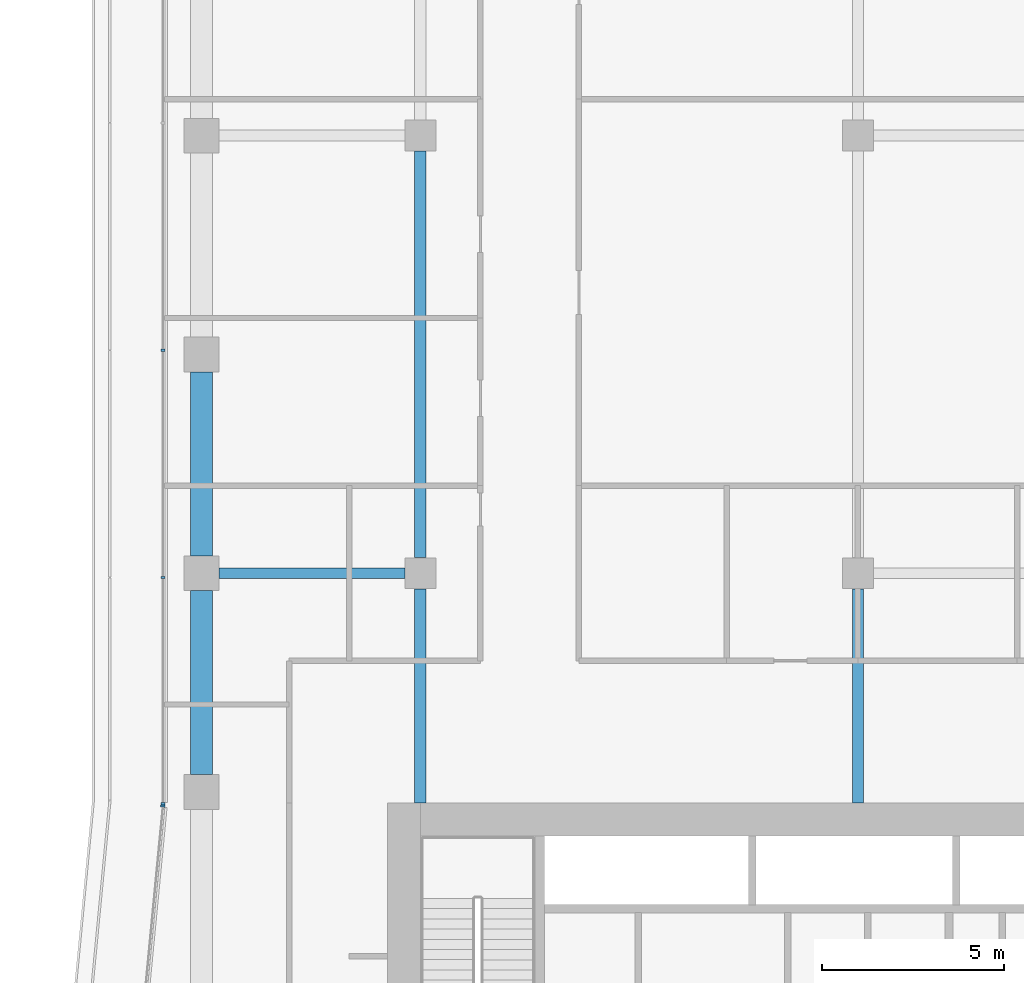
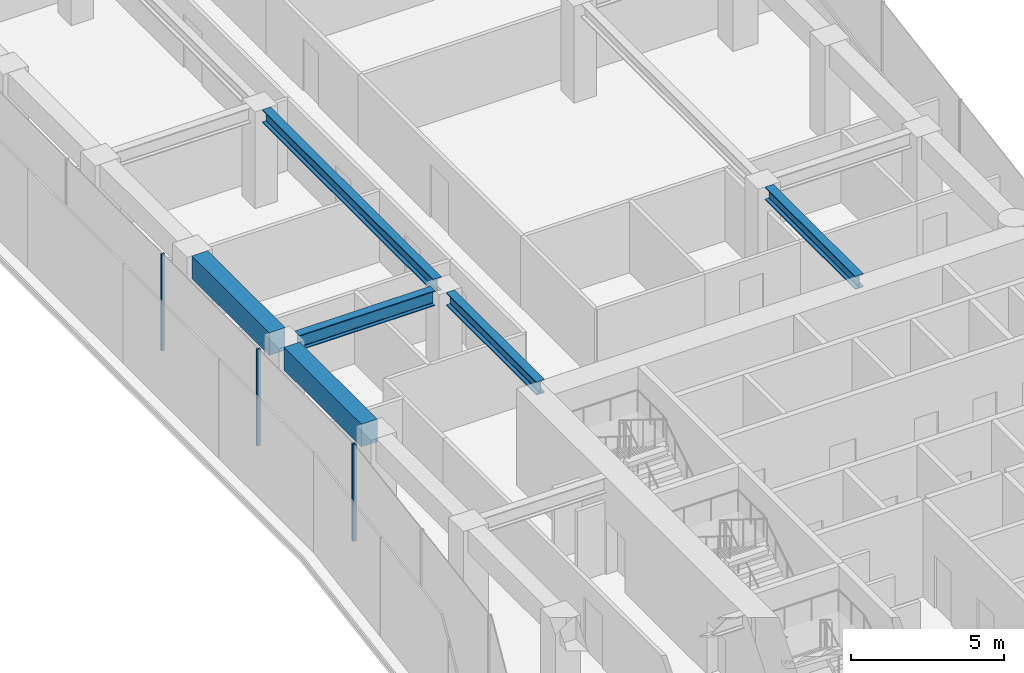
# One storey, part 12 of 31: 6 beams, 4 members, 2 elements without a shape of their own.
"""IFC4 building model written with IfcOpenShell, lengths in metres."""

from ifc_helpers import new_model, si_unit, direction, frame, origin, origin_2d, place, context, subcontext, project, spatial, rectangle, i_section, extrude, material, layer, layer_set, material_profile, profile_set, type_object, element, aggregate, save


model = new_model("IFC4")

# Units and contexts
model_context = context("Model", 3, precision=1e-05, world=origin(), true_north=direction((0.0, 1.0)))
body_context = subcontext(model_context, "Body", "Model", "MODEL_VIEW")
ifc_project = project(units=[si_unit("LENGTHUNIT", "METRE"), si_unit("AREAUNIT", "SQUARE_METRE"), si_unit("VOLUMEUNIT", "CUBIC_METRE"), si_unit("PLANEANGLEUNIT", "RADIAN"), si_unit("MASSUNIT", "GRAM", prefix="KILO")], contexts=[model_context])

# Site, building, storey
site_placement = place(None, origin())
site = spatial("IfcSite", under=ifc_project, at=site_placement, CompositionType="ELEMENT")
building_placement = place(site_placement, origin())
building = spatial("IfcBuilding", under=site, at=building_placement, Name="Welwitschia Terrace Campus", CompositionType="ELEMENT")
storey_placement = place(building_placement, frame((0.0, 0.0, 29.0)))
storey = spatial("IfcBuildingStorey", under=building, at=storey_placement, Name="L06", CompositionType="ELEMENT", Elevation=29.0)

# Beams
ifc_material_1 = material(Name="Steel S355", Category="steel")
ifc_material_profile_1 = material_profile(ifc_material_1, i_section(OverallWidth=0.305908203125, OverallDepth=0.52392578125, WebThickness=0.02099609375, FlangeThickness=0.0400390625, FilletRadius=0.027099609375, at=origin_2d()))
ifc_profile_set_1 = profile_set([ifc_material_profile_1], Name="Steel S355")
beam_type_1 = type_object("IfcBeamType", Name="Interior girder HE 500 M", PredefinedType="BEAM", material=ifc_profile_set_1)
beam_1_placement = place(storey_placement, frame((6.0, 25.700927734375, 3.587890625), z_axis=(0.0, 1.0, 0.0), x_axis=(-1.0, 0.0, 0.0)))
element("IfcBeam", 1, at=beam_1_placement, inside=storey, type_object=beam_type_1, Name="Girder GB2", PredefinedType="BEAM", context=body_context, shape_type="SweptSolid", body=[
    extrude(i_section(OverallWidth=0.305908203125, OverallDepth=0.52392578125, WebThickness=0.02099609375, FlangeThickness=0.0400390625, FilletRadius=0.027099609375, at=origin_2d()), origin(), (0.0, 0.0, 1.0), 5.87353515625),
])
beam_2_placement = place(storey_placement, frame((6.0, 32.425537109375, 3.587890625), z_axis=(0.0, 1.0, 0.0), x_axis=(-1.0, 0.0, 0.0)))
element("IfcBeam", 2, at=beam_2_placement, inside=storey, type_object=beam_type_1, Name="Girder GB2", PredefinedType="BEAM", context=body_context, shape_type="SweptSolid", body=[
    extrude(i_section(OverallWidth=0.305908203125, OverallDepth=0.52392578125, WebThickness=0.02099609375, FlangeThickness=0.0400390625, FilletRadius=0.027099609375, at=origin_2d()), origin(), (0.0, 0.0, 1.0), 11.14892578125),
])
beam_3_placement = place(storey_placement, frame((18.0, 25.700927734375, 3.587890625), z_axis=(0.0, 1.0, 0.0), x_axis=(-1.0, 0.0, 0.0)))
element("IfcBeam", 3, at=beam_3_placement, inside=storey, type_object=beam_type_1, Name="Girder GB2", PredefinedType="BEAM", context=body_context, shape_type="SweptSolid", body=[
    extrude(i_section(OverallWidth=0.305908203125, OverallDepth=0.52392578125, WebThickness=0.02099609375, FlangeThickness=0.0400390625, FilletRadius=0.027099609375, at=origin_2d()), origin(), (0.0, 0.0, 1.0), 5.87353515625),
])

# Curtain wall, member
ifc_material_2 = material(Name="Bronze anodised aluminium", Category="aluminium")
ifc_layer = layer(ifc_material_2, 0.1201171875)
ifc_layer_set = layer_set([ifc_layer], Name="Bronze anodised aluminium")
curtain_wall_type = type_object("IfcCurtainWallType", Name="Curtain wall CW2 tower 6000", PredefinedType="NOTDEFINED", material=ifc_layer_set)
curtain_wall_1_placement = place(storey_placement, origin())
curtain_wall_1 = element("IfcCurtainWall", 4, at=curtain_wall_1_placement, inside=storey, type_object=curtain_wall_type, Name="CW L06.0.0", PredefinedType="NOTDEFINED")
ifc_material_3 = material(Name="Bronze anodised aluminium", Category="aluminium")
ifc_material_profile_2 = material_profile(ifc_material_3, rectangle(XDim=0.1201171875, YDim=0.06005859375, at=origin_2d()))
ifc_profile_set_2 = profile_set([ifc_material_profile_2], Name="Bronze anodised aluminium")
member_type = type_object("IfcMemberType", Name="Mullion 60x120", PredefinedType="MULLION", material=ifc_profile_set_2)
member_1_placement = place(storey_placement, frame((-1.060791015625, 25.615966796875, 0.0), z_axis=(0.0, 0.0, 1.0), x_axis=(0.995396198367, -0.09584575252, 0.0)))
member_1 = element("IfcMember", 5, at=member_1_placement, type_object=member_type, Name="Mullion L06.0.0.0", PredefinedType="MULLION", context=body_context, shape_type="SweptSolid", body=[
    extrude(rectangle(XDim=0.1201171875, YDim=0.06005859375, at=origin_2d()), origin(), (0.0, 0.0, 1.0), 3.85009765625),
])
aggregate(curtain_wall_1, [member_1])

# Curtain wall, members
curtain_wall_2_placement = place(storey_placement, origin())
curtain_wall_2 = element("IfcCurtainWall", 6, at=curtain_wall_2_placement, inside=storey, type_object=curtain_wall_type, Name="CW L06.16.0", PredefinedType="NOTDEFINED")
member_2_placement = place(storey_placement, frame((-1.05810546875, 38.116455078125, 0.0), z_axis=(0.0, 0.0, 1.0), x_axis=(1.0, 0.0, 0.0)))
member_2 = element("IfcMember", 7, at=member_2_placement, type_object=member_type, Name="Mullion L06.16.0.4", PredefinedType="MULLION", context=body_context, shape_type="SweptSolid", body=[
    extrude(rectangle(XDim=0.1201171875, YDim=0.06005859375, at=origin_2d()), origin(), (0.0, 0.0, 1.0), 3.85009765625),
])
member_3_placement = place(storey_placement, frame((-1.05810546875, 31.881103515625, 0.0), z_axis=(0.0, 0.0, 1.0), x_axis=(1.0, 0.0, 0.0)))
member_3 = element("IfcMember", 8, at=member_3_placement, type_object=member_type, Name="Mullion L06.16.0.5", PredefinedType="MULLION", context=body_context, shape_type="SweptSolid", body=[
    extrude(rectangle(XDim=0.1201171875, YDim=0.06005859375, at=origin_2d()), origin(), (0.0, 0.0, 1.0), 3.85009765625),
])
member_4_placement = place(storey_placement, frame((-1.05810546875, 25.67578125, 0.0), z_axis=(0.0, 0.0, 1.0), x_axis=(1.0, 0.0, 0.0)))
member_4 = element("IfcMember", 9, at=member_4_placement, type_object=member_type, Name="Mullion L06.16.0.6", PredefinedType="MULLION", context=body_context, shape_type="SweptSolid", body=[
    extrude(rectangle(XDim=0.1201171875, YDim=0.06005859375, at=origin_2d()), origin(), (0.0, 0.0, 1.0), 3.85009765625),
])
aggregate(curtain_wall_2, [member_2, member_3, member_4])

# Beams
ifc_material_4 = material(Name="Steel S355", Category="steel")
ifc_material_profile_3 = material_profile(ifc_material_4, i_section(OverallWidth=0.300048828125, OverallDepth=0.60009765625, WebThickness=0.015380859375, FlangeThickness=0.030029296875, FilletRadius=0.027099609375, at=origin_2d()))
ifc_profile_set_3 = profile_set([ifc_material_profile_3], Name="Steel S355")
beam_type_2 = type_object("IfcBeamType", Name="Primary beam HE 600 B", PredefinedType="BEAM", material=ifc_profile_set_3)
beam_4_placement = place(storey_placement, frame((0.4755859375, 32.0, 3.550048828125), z_axis=(1.0, 0.0, 0.0), x_axis=(0.0, 1.0, 0.0)))
element("IfcBeam", 10, at=beam_4_placement, inside=storey, type_object=beam_type_2, Name="Primary beam PB2", PredefinedType="BEAM", context=body_context, shape_type="SweptSolid", body=[
    extrude(i_section(OverallWidth=0.300048828125, OverallDepth=0.60009765625, WebThickness=0.015380859375, FlangeThickness=0.030029296875, FilletRadius=0.027099609375, at=origin_2d()), origin(), (0.0, 0.0, 1.0), 5.098876953125),
])
ifc_material_5 = material(Name="Concrete C60/75", Category="concrete")
ifc_material_profile_4 = material_profile(ifc_material_5, rectangle(XDim=0.60009765625, YDim=0.89990234375, at=origin_2d()))
ifc_profile_set_4 = profile_set([ifc_material_profile_4], Name="Concrete C60/75")
beam_type_3 = type_object("IfcBeamType", Name="Ring spandrel 600x900", PredefinedType="SPANDREL", material=ifc_profile_set_4)
for number, where, z_axis, x_axis, name in (
    (11, (0.0, 37.5244140625, 3.39990234375), (0.0, -1.0, 0.0), (1.0, 0.0, 0.0), "Spandrel SP2"),
    (12, (0.0, 31.5244140625, 3.39990234375), (0.0, -1.0, 0.0), (1.0, 0.0, 0.0), "Spandrel SP2"),
):
    element("IfcBeam", number, at=place(storey_placement, frame(where, z_axis=z_axis, x_axis=x_axis)), inside=storey, type_object=beam_type_3, Name=name, PredefinedType="SPANDREL", context=body_context, shape_type="SweptSolid", body=[
        extrude(rectangle(XDim=0.60009765625, YDim=0.89990234375, at=origin_2d()), origin(), (0.0, 0.0, 1.0), 5.048828125),
    ])

save(model, "model.ifc")
